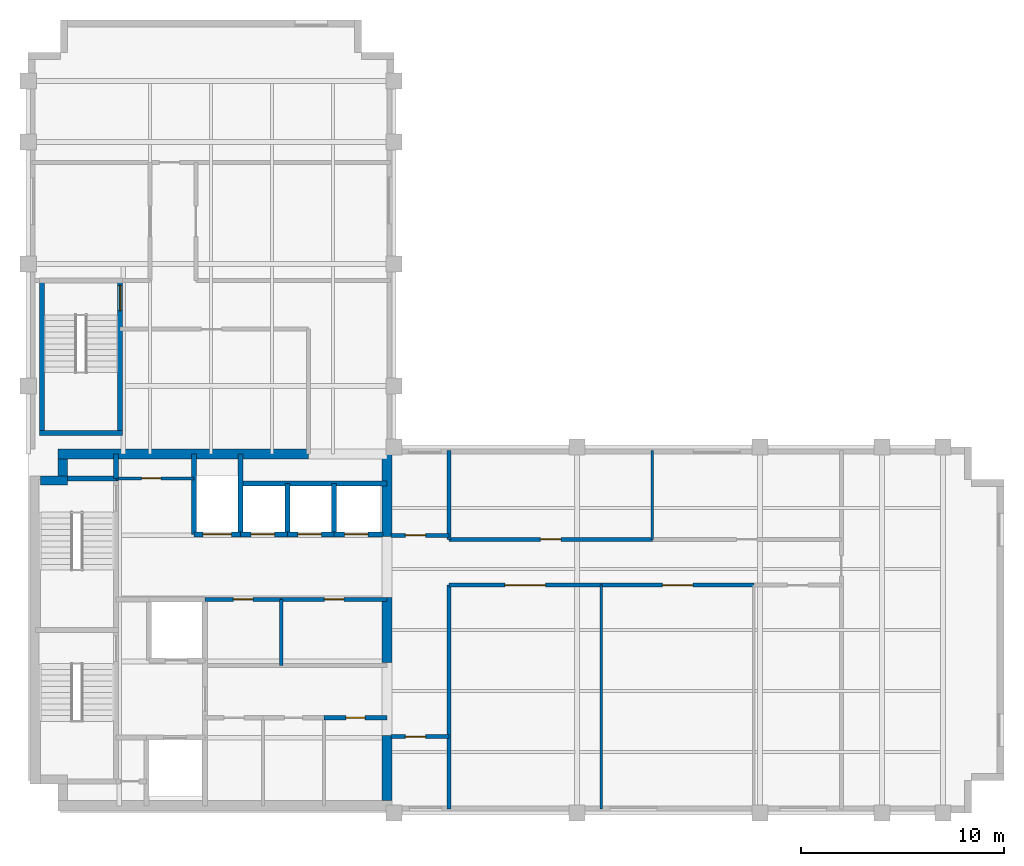
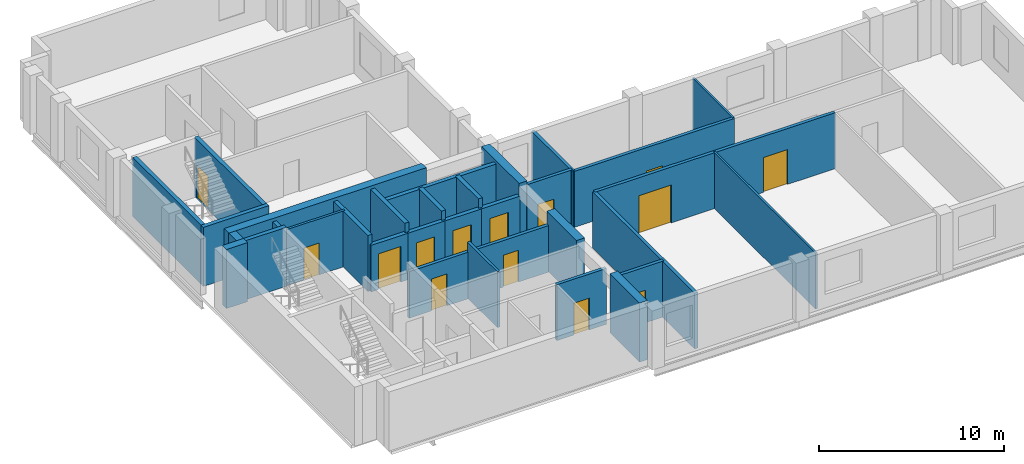
# One storey, part 3 of 6: 34 walls, 14 doors, 14 openings.
"""IFC4 building model written with IfcOpenShell, lengths in metres."""

from ifc_helpers import new_model, si_unit, direction, frame, frame_2d, origin, place, context, subcontext, project, spatial, rectangle, extrude, material, layer, layer_set, type_object, element, fill, save


model = new_model("IFC4")

# Units and contexts
model_context = context("Model", 3, precision=1e-05, world=origin(), true_north=direction((0.0, 1.0)))
body_context = subcontext(model_context, "Body", "Model", "MODEL_VIEW")
ifc_project = project(units=[si_unit("LENGTHUNIT", "METRE"), si_unit("AREAUNIT", "SQUARE_METRE"), si_unit("VOLUMEUNIT", "CUBIC_METRE"), si_unit("PLANEANGLEUNIT", "RADIAN"), si_unit("MASSUNIT", "GRAM", prefix="KILO")], contexts=[model_context])

# Site, building, storey
site_placement = place(None, origin())
site = spatial("IfcSite", under=ifc_project, at=site_placement, CompositionType="ELEMENT")
building_placement = place(site_placement, origin())
building = spatial("IfcBuilding", under=site, at=building_placement, Name="Mawjdan Bourse Tower", CompositionType="ELEMENT")
storey_placement = place(building_placement, frame((0.0, 0.0, 246.89990234375)))
storey = spatial("IfcBuildingStorey", under=building, at=storey_placement, Name="L60", CompositionType="ELEMENT", Elevation=246.89990234375)

# Wall, opening, door
ifc_material_1 = material(Name="Gypsum Fireboard Assembly")
ifc_layer_1 = layer(ifc_material_1, 0.199951171875)
ifc_layer_set_1 = layer_set([ifc_layer_1], Name="Gypsum Fireboard Assembly")
wall_type_1 = type_object("IfcWallType", Name="WL-CMP-200", PredefinedType="PARTITIONING", material=ifc_layer_set_1)
wall_1_placement = place(storey_placement, frame((20.550048828125, 7.679931640625, 0.0), z_axis=(0.0, 0.0, 1.0), x_axis=(1.0, 0.0, 0.0)))
wall_1 = element("IfcWall", 1, at=wall_1_placement, inside=storey, type_object=wall_type_1, Name="L60 Staff Tea Pantry North Wall", PredefinedType="PARTITIONING", context=body_context, shape_type="SweptSolid", body=[
    extrude(rectangle(XDim=3.099853515625, YDim=0.199951171875, at=frame_2d((1.5498046875, 0.0))), origin(), (0.0, 0.0, 1.0), 3.690185546875),
])
opening_1_placement = place(wall_1_placement, frame((1.074951171875, 0.0, 0.0)))
opening_1 = element("IfcOpeningElement", 2, at=opening_1_placement, cuts=wall_1, Name="Opening D-L60-15", PredefinedType="OPENING", context=body_context, shape_type="SweptSolid", body=[
    extrude(rectangle(XDim=0.949951171875, YDim=2.10009765625, at=frame_2d((0.47509765625, 1.050048828125))), frame((0.0, 0.10986328125, 0.0), z_axis=(0.0, -1.0, 0.0), x_axis=(1.0, 0.0, 0.0)), (0.0, 0.0, 1.0), 0.219970703125),
])
ifc_material_2 = material(Name="Moisture-Resistant Laminate Timber", Category="wood")
door_type_1 = type_object("IfcDoorType", Name="DR-WET-0950", OperationType="NOTDEFINED", PredefinedType="DOOR", material=ifc_material_2)
door_1_placement = place(opening_1_placement, origin())
door_1 = element("IfcDoor", 3, at=door_1_placement, inside=storey, type_object=door_type_1, Name="L60 Staff Tea Pantry Door D-L60-15", OperationType="SINGLE_SWING_LEFT", OverallHeight=2.10009765625, OverallWidth=0.949951171875, PredefinedType="DOOR", context=body_context, shape_type="SweptSolid", body=[
    extrude(rectangle(XDim=0.949951171875, YDim=2.10009765625, at=frame_2d((0.47509765625, 1.050048828125))), frame((0.0, 0.02490234375, 0.0), z_axis=(0.0, -1.0, 0.0), x_axis=(1.0, 0.0, 0.0)), (0.0, 0.0, 1.0), 0.050048828125),
])
fill(opening_1, door_1)

wall_2_placement = place(storey_placement, frame((14.699951171875, 13.5, 0.0), z_axis=(0.0, 0.0, 1.0), x_axis=(1.0, 0.0, 0.0)))
wall_2 = element("IfcWall", 4, at=wall_2_placement, inside=storey, type_object=wall_type_1, Name="L60 Accessible WC North Wall", PredefinedType="PARTITIONING", context=body_context, shape_type="SweptSolid", body=[
    extrude(rectangle(XDim=3.75, YDim=0.199951171875, at=frame_2d((1.875, 0.0))), origin(), (0.0, 0.0, 1.0), 3.072998046875),
])
opening_2_placement = place(wall_2_placement, frame((1.39990234375, 0.0, 0.0)))
opening_2 = element("IfcOpeningElement", 5, at=opening_2_placement, cuts=wall_2, Name="Opening D-L60-16", PredefinedType="OPENING", context=body_context, shape_type="SweptSolid", body=[
    extrude(rectangle(XDim=0.949951171875, YDim=2.10009765625, at=frame_2d((0.47509765625, 1.050048828125))), frame((0.0, 0.10986328125, 0.0), z_axis=(0.0, -1.0, 0.0), x_axis=(1.0, 0.0, 0.0)), (0.0, 0.0, 1.0), 0.219970703125),
])
door_2_placement = place(opening_2_placement, origin())
door_2 = element("IfcDoor", 6, at=door_2_placement, inside=storey, type_object=door_type_1, Name="L60 Accessible WC Door D-L60-16", OperationType="SINGLE_SWING_RIGHT", OverallHeight=2.10009765625, OverallWidth=0.949951171875, PredefinedType="DOOR", context=body_context, shape_type="SweptSolid", body=[
    extrude(rectangle(XDim=0.949951171875, YDim=2.10009765625, at=frame_2d((0.47509765625, 1.050048828125))), frame((0.0, 0.02490234375, 0.0), z_axis=(0.0, -1.0, 0.0), x_axis=(1.0, 0.0, 0.0)), (0.0, 0.0, 1.0), 0.050048828125),
])
fill(opening_2, door_2)

wall_3_placement = place(storey_placement, frame((18.449951171875, 13.5, 0.0), z_axis=(0.0, 0.0, 1.0), x_axis=(1.0, 0.0, 0.0)))
wall_3 = element("IfcWall", 7, at=wall_3_placement, inside=storey, type_object=wall_type_1, Name="L60 Unisex Restroom Suite North Wall", PredefinedType="PARTITIONING", context=body_context, shape_type="SweptSolid", body=[
    extrude(rectangle(XDim=5.199951171875, YDim=0.199951171875, at=frame_2d((2.60009765625, 0.0))), origin(), (0.0, 0.0, 1.0), 3.072998046875),
])
opening_3_placement = place(wall_3_placement, frame((2.125, 0.0, 0.0)))
opening_3 = element("IfcOpeningElement", 8, at=opening_3_placement, cuts=wall_3, Name="Opening D-L60-17", PredefinedType="OPENING", context=body_context, shape_type="SweptSolid", body=[
    extrude(rectangle(XDim=0.949951171875, YDim=2.10009765625, at=frame_2d((0.47509765625, 1.050048828125))), frame((0.0, 0.10986328125, 0.0), z_axis=(0.0, -1.0, 0.0), x_axis=(1.0, 0.0, 0.0)), (0.0, 0.0, 1.0), 0.219970703125),
])
door_3_placement = place(opening_3_placement, origin())
door_3 = element("IfcDoor", 9, at=door_3_placement, inside=storey, type_object=door_type_1, Name="L60 Unisex Restroom Suite Door D-L60-17", OperationType="SINGLE_SWING_LEFT", OverallHeight=2.10009765625, OverallWidth=0.949951171875, PredefinedType="DOOR", context=body_context, shape_type="SweptSolid", body=[
    extrude(rectangle(XDim=0.949951171875, YDim=2.10009765625, at=frame_2d((0.47509765625, 1.050048828125))), frame((0.0, 0.02490234375, 0.0), z_axis=(0.0, -1.0, 0.0), x_axis=(1.0, 0.0, 0.0)), (0.0, 0.0, 1.0), 0.050048828125),
])
fill(opening_3, door_3)

wall_4_placement = place(storey_placement, frame((23.85009765625, 6.75, 0.0), z_axis=(0.0, 0.0, 1.0), x_axis=(1.0, 0.0, 0.0)))
wall_4 = element("IfcWall", 10, at=wall_4_placement, inside=storey, type_object=wall_type_1, Name="L60 West Pocket North Wall", PredefinedType="PARTITIONING", context=body_context, shape_type="SweptSolid", body=[
    extrude(rectangle(XDim=2.849853515625, YDim=0.199951171875, at=frame_2d((1.4248046875, 0.0))), origin(), (0.0, 0.0, 1.0), 3.690185546875),
])
opening_4_placement = place(wall_4_placement, frame((0.699951171875, 0.0, 0.0)))
opening_4 = element("IfcOpeningElement", 11, at=opening_4_placement, cuts=wall_4, Name="Opening D-L60-20", PredefinedType="OPENING", context=body_context, shape_type="SweptSolid", body=[
    extrude(rectangle(XDim=1.0, YDim=2.14990234375, at=frame_2d((0.5, 1.074951171875))), frame((0.0, 0.10986328125, 0.0), z_axis=(0.0, -1.0, 0.0), x_axis=(1.0, 0.0, 0.0)), (0.0, 0.0, 1.0), 0.219970703125),
])
ifc_material_3 = material(Name="Hardwood Acoustic Leaf", Category="wood")
door_type_2 = type_object("IfcDoorType", Name="DR-OFC-1000", OperationType="NOTDEFINED", PredefinedType="DOOR", material=ifc_material_3)
door_4_placement = place(opening_4_placement, origin())
door_4 = element("IfcDoor", 12, at=door_4_placement, inside=storey, type_object=door_type_2, Name="L60 West Pocket Office Door D-L60-20", OperationType="SINGLE_SWING_RIGHT", OverallHeight=2.14990234375, OverallWidth=1.0, PredefinedType="DOOR", context=body_context, shape_type="SweptSolid", body=[
    extrude(rectangle(XDim=1.0, YDim=2.14990234375, at=frame_2d((0.5, 1.074951171875))), frame((0.0, 0.02490234375, 0.0), z_axis=(0.0, -1.0, 0.0), x_axis=(1.0, 0.0, 0.0)), (0.0, 0.0, 1.0), 0.050048828125),
])
fill(opening_4, door_4)

wall_5_placement = place(storey_placement, frame((23.85009765625, 16.64990234375, 0.0), z_axis=(0.0, 0.0, 1.0), x_axis=(1.0, 0.0, 0.0)))
wall_5 = element("IfcWall", 13, at=wall_5_placement, inside=storey, type_object=wall_type_1, Name="L60 West North Pocket Wall", PredefinedType="PARTITIONING", context=body_context, shape_type="SweptSolid", body=[
    extrude(rectangle(XDim=2.849853515625, YDim=0.199951171875, at=frame_2d((1.4248046875, 0.0))), origin(), (0.0, 0.0, 1.0), 3.690185546875),
])
opening_5_placement = place(wall_5_placement, frame((0.699951171875, 0.0, 0.0)))
opening_5 = element("IfcOpeningElement", 14, at=opening_5_placement, cuts=wall_5, Name="Opening D-L60-21", PredefinedType="OPENING", context=body_context, shape_type="SweptSolid", body=[
    extrude(rectangle(XDim=1.0, YDim=2.14990234375, at=frame_2d((0.5, 1.074951171875))), frame((0.0, 0.10986328125, 0.0), z_axis=(0.0, -1.0, 0.0), x_axis=(1.0, 0.0, 0.0)), (0.0, 0.0, 1.0), 0.219970703125),
])
door_5_placement = place(opening_5_placement, origin())
door_5 = element("IfcDoor", 15, at=door_5_placement, inside=storey, type_object=door_type_2, Name="L60 West North Pocket Door D-L60-21", OperationType="SINGLE_SWING_LEFT", OverallHeight=2.14990234375, OverallWidth=1.0, PredefinedType="DOOR", context=body_context, shape_type="SweptSolid", body=[
    extrude(rectangle(XDim=1.0, YDim=2.14990234375, at=frame_2d((0.5, 1.074951171875))), frame((0.0, 0.02490234375, 0.0), z_axis=(0.0, -1.0, 0.0), x_axis=(1.0, 0.0, 0.0)), (0.0, 0.0, 1.0), 0.050048828125),
])
fill(opening_5, door_5)

# Walls
wall_6_placement = place(storey_placement, frame((26.699951171875, 3.179931640625, 0.0), z_axis=(0.0, 0.0, 1.0), x_axis=(0.0, 1.0, 0.0)))
element("IfcWall", 16, at=wall_6_placement, inside=storey, type_object=wall_type_1, Name="L60 Vestibule South East Wall", PredefinedType="PARTITIONING", context=body_context, shape_type="SweptSolid", body=[
    extrude(rectangle(XDim=11.02001953125, YDim=0.199951171875, at=frame_2d((5.510009765625, 0.0))), origin(), (0.0, 0.0, 1.0), 3.690185546875),
])
wall_7_placement = place(storey_placement, frame((26.699951171875, 16.449951171875, 0.0), z_axis=(0.0, 0.0, 1.0), x_axis=(0.0, 1.0, 0.0)))
element("IfcWall", 17, at=wall_7_placement, inside=storey, type_object=wall_type_1, Name="L60 Vestibule North East Wall", PredefinedType="PARTITIONING", context=body_context, shape_type="SweptSolid", body=[
    extrude(rectangle(XDim=4.3701171875, YDim=0.199951171875, at=frame_2d((2.18505859375, 0.0))), origin(), (0.0, 0.0, 1.0), 3.690185546875),
])

# Wall, opening, door
wall_8_placement = place(storey_placement, frame((26.699951171875, 14.199951171875, 0.0), z_axis=(0.0, 0.0, 1.0), x_axis=(1.0, 0.0, 0.0)))
wall_8 = element("IfcWall", 18, at=wall_8_placement, inside=storey, type_object=wall_type_1, Name="L60 International Listings Hall Corridor Wall", PredefinedType="PARTITIONING", context=body_context, shape_type="SweptSolid", body=[
    extrude(rectangle(XDim=7.5, YDim=0.199951171875, at=frame_2d((3.75, 0.0))), origin(), (0.0, 0.0, 1.0), 3.690185546875),
])
opening_6_placement = place(wall_8_placement, frame((2.75, 0.0, 0.0)))
opening_6 = element("IfcOpeningElement", 19, at=opening_6_placement, cuts=wall_8, Name="Opening D-L60-22", PredefinedType="OPENING", context=body_context, shape_type="SweptSolid", body=[
    extrude(rectangle(XDim=2.0, YDim=2.5, at=frame_2d((1.0, 1.25))), frame((0.0, 0.10986328125, 0.0), z_axis=(0.0, -1.0, 0.0), x_axis=(1.0, 0.0, 0.0)), (0.0, 0.0, 1.0), 0.219970703125),
])
ifc_material_4 = material(Name="Acoustic Veneered Timber", Category="wood")
door_type_3 = type_object("IfcDoorType", Name="DR-ASM-2000", OperationType="DOUBLE_DOOR_SINGLE_SWING", PredefinedType="DOOR", material=ifc_material_4)
door_6_placement = place(opening_6_placement, origin())
door_6 = element("IfcDoor", 20, at=door_6_placement, inside=storey, type_object=door_type_3, Name="L60 International Listings Hall Door D-L60-22", OperationType="DOUBLE_DOOR_SINGLE_SWING", OverallHeight=2.5, OverallWidth=2.0, PredefinedType="DOOR", context=body_context, shape_type="SweptSolid", body=[
    extrude(rectangle(XDim=2.0, YDim=2.5, at=frame_2d((1.0, 1.25))), frame((0.0, 0.02490234375, 0.0), z_axis=(0.0, -1.0, 0.0), x_axis=(1.0, 0.0, 0.0)), (0.0, 0.0, 1.0), 0.050048828125),
])
fill(opening_6, door_6)

wall_9_placement = place(storey_placement, frame((34.199951171875, 14.199951171875, 0.0), z_axis=(0.0, 0.0, 1.0), x_axis=(1.0, 0.0, 0.0)))
wall_9 = element("IfcWall", 21, at=wall_9_placement, inside=storey, type_object=wall_type_1, Name="L60 Conference Room Corridor Wall", PredefinedType="PARTITIONING", context=body_context, shape_type="SweptSolid", body=[
    extrude(rectangle(XDim=7.5, YDim=0.199951171875, at=frame_2d((3.75, 0.0))), origin(), (0.0, 0.0, 1.0), 3.690185546875),
])
opening_7_placement = place(wall_9_placement, frame((3.0, 0.0, 0.0)))
opening_7 = element("IfcOpeningElement", 22, at=opening_7_placement, cuts=wall_9, Name="Opening D-L60-23", PredefinedType="OPENING", context=body_context, shape_type="SweptSolid", body=[
    extrude(rectangle(XDim=1.5, YDim=2.300048828125, at=frame_2d((0.75, 1.14990234375))), frame((0.0, 0.10986328125, 0.0), z_axis=(0.0, -1.0, 0.0), x_axis=(1.0, 0.0, 0.0)), (0.0, 0.0, 1.0), 0.219970703125),
])
ifc_material_5 = material(Name="Acoustic Glazed Timber", Category="wood")
door_type_4 = type_object("IfcDoorType", Name="DR-CNF-1500", OperationType="DOUBLE_DOOR_SINGLE_SWING", PredefinedType="DOOR", material=ifc_material_5)
door_7_placement = place(opening_7_placement, origin())
door_7 = element("IfcDoor", 23, at=door_7_placement, inside=storey, type_object=door_type_4, Name="L60 Conference Room Door D-L60-23", OperationType="DOUBLE_DOOR_SINGLE_SWING", OverallHeight=2.300048828125, OverallWidth=1.5, PredefinedType="DOOR", context=body_context, shape_type="SweptSolid", body=[
    extrude(rectangle(XDim=1.5, YDim=2.300048828125, at=frame_2d((0.75, 1.14990234375))), frame((0.0, 0.02490234375, 0.0), z_axis=(0.0, -1.0, 0.0), x_axis=(1.0, 0.0, 0.0)), (0.0, 0.0, 1.0), 0.050048828125),
])
fill(opening_7, door_7)

wall_10_placement = place(storey_placement, frame((26.699951171875, 16.449951171875, 0.0), z_axis=(0.0, 0.0, 1.0), x_axis=(1.0, 0.0, 0.0)))
wall_10 = element("IfcWall", 24, at=wall_10_placement, inside=storey, type_object=wall_type_1, Name="L60 Executive Office Corridor Wall", PredefinedType="PARTITIONING", context=body_context, shape_type="SweptSolid", body=[
    extrude(rectangle(XDim=10.0, YDim=0.199951171875, at=frame_2d((5.0, 0.0))), origin(), (0.0, 0.0, 1.0), 3.690185546875),
])
opening_8_placement = place(wall_10_placement, frame((4.5, 0.0, 0.0)))
opening_8 = element("IfcOpeningElement", 25, at=opening_8_placement, cuts=wall_10, Name="Opening D-L60-25", PredefinedType="OPENING", context=body_context, shape_type="SweptSolid", body=[
    extrude(rectangle(XDim=1.0, YDim=2.14990234375, at=frame_2d((0.5, 1.074951171875))), frame((0.0, 0.10986328125, 0.0), z_axis=(0.0, -1.0, 0.0), x_axis=(1.0, 0.0, 0.0)), (0.0, 0.0, 1.0), 0.219970703125),
])
door_8_placement = place(opening_8_placement, origin())
door_8 = element("IfcDoor", 26, at=door_8_placement, inside=storey, type_object=door_type_2, Name="L60 Executive Office Door D-L60-25", OperationType="SINGLE_SWING_LEFT", OverallHeight=2.14990234375, OverallWidth=1.0, PredefinedType="DOOR", context=body_context, shape_type="SweptSolid", body=[
    extrude(rectangle(XDim=1.0, YDim=2.14990234375, at=frame_2d((0.5, 1.074951171875))), frame((0.0, 0.02490234375, 0.0), z_axis=(0.0, -1.0, 0.0), x_axis=(1.0, 0.0, 0.0)), (0.0, 0.0, 1.0), 0.050048828125),
])
fill(opening_8, door_8)

# Walls
ifc_material_6 = material(Name="Concrete C60/75", Category="concrete")
ifc_layer_2 = layer(ifc_material_6, 0.449951171875)
ifc_layer_set_2 = layer_set([ifc_layer_2], Name="Concrete C60/75")
wall_type_2 = type_object("IfcWallType", Name="WL-CORE-450", PredefinedType="SHEAR", material=ifc_layer_set_2)
wall_11_placement = place(storey_placement, frame((6.60009765625, 19.35009765625, 0.0), z_axis=(0.0, 0.0, 1.0), x_axis=(1.0, 0.0, 0.0)))
element("IfcWall", 27, at=wall_11_placement, inside=storey, type_object=wall_type_2, Name="L60 Rear Core Shear Wall NW-X", PredefinedType="SHEAR", context=body_context, shape_type="SweptSolid", body=[
    extrude(rectangle(XDim=1.324951171875, YDim=0.449951171875, at=frame_2d((0.66259765625, 0.0))), origin(), (0.0, 0.0, 1.0), 3.900146484375),
])
wall_12_placement = place(storey_placement, frame((7.699951171875, 19.574951171875, 0.0), z_axis=(0.0, 0.0, 1.0), x_axis=(0.0, 1.0, 0.0)))
element("IfcWall", 28, at=wall_12_placement, inside=storey, type_object=wall_type_2, Name="L60 Rear Core Shear Wall NW-Y", PredefinedType="SHEAR", context=body_context, shape_type="SweptSolid", body=[
    extrude(rectangle(XDim=0.824951171875, YDim=0.449951171875, at=frame_2d((0.41259765625, 0.0))), origin(), (0.0, 0.0, 1.0), 3.900146484375),
])
ifc_layer_3 = layer(ifc_material_6, 0.5)
ifc_layer_set_3 = layer_set([ifc_layer_3], Name="Concrete C60/75")
wall_type_3 = type_object("IfcWallType", Name="WL-CORE-500", PredefinedType="SHEAR", material=ifc_layer_set_3)
wall_13_placement = place(storey_placement, frame((7.47509765625, 20.64990234375, 0.0), z_axis=(0.0, 0.0, 1.0), x_axis=(1.0, 0.0, 0.0)))
element("IfcWall", 29, at=wall_13_placement, inside=storey, type_object=wall_type_3, Name="L60 Rear Core Shear Wall N", PredefinedType="SHEAR", context=body_context, shape_type="SweptSolid", body=[
    extrude(rectangle(XDim=12.324951171875, YDim=0.5, at=frame_2d((6.16259765625, 0.0))), origin(), (0.0, 0.0, 1.0), 3.900146484375),
])
wall_14_placement = place(storey_placement, frame((23.64990234375, 3.60009765625, 0.0), z_axis=(0.0, 0.0, 1.0), x_axis=(0.0, 1.0, 0.0)))
element("IfcWall", 30, at=wall_14_placement, inside=storey, type_object=wall_type_3, Name="L60 Rear Core Shear Wall E1", PredefinedType="SHEAR", context=body_context, shape_type="SweptSolid", body=[
    extrude(rectangle(XDim=3.199951171875, YDim=0.5, at=frame_2d((1.60009765625, 0.0))), origin(), (0.0, 0.0, 1.0), 3.900146484375),
])
wall_15_placement = place(storey_placement, frame((23.64990234375, 10.39990234375, 0.0), z_axis=(0.0, 0.0, 1.0), x_axis=(0.0, 1.0, 0.0)))
element("IfcWall", 31, at=wall_15_placement, inside=storey, type_object=wall_type_3, Name="L60 Rear Core Shear Wall E2", PredefinedType="SHEAR", context=body_context, shape_type="SweptSolid", body=[
    extrude(rectangle(XDim=3.2001953125, YDim=0.5, at=frame_2d((1.60009765625, 0.0))), origin(), (0.0, 0.0, 1.0), 3.900146484375),
])
wall_16_placement = place(storey_placement, frame((23.64990234375, 16.60009765625, 0.0), z_axis=(0.0, 0.0, 1.0), x_axis=(0.0, 1.0, 0.0)))
element("IfcWall", 32, at=wall_16_placement, inside=storey, type_object=wall_type_3, Name="L60 Rear Core Shear Wall E3", PredefinedType="SHEAR", context=body_context, shape_type="SweptSolid", body=[
    extrude(rectangle(XDim=4.0498046875, YDim=0.5, at=frame_2d((2.02490234375, 0.0))), origin(), (0.0, 0.0, 1.0), 3.900146484375),
])
ifc_material_7 = material(Name="Gypsum Partition")
ifc_layer_4 = layer(ifc_material_7, 0.125)
ifc_layer_set_4 = layer_set([ifc_layer_4], Name="Gypsum Partition")
wall_type_4 = type_object("IfcWallType", Name="WL-PRT-125", PredefinedType="PARTITIONING", material=ifc_layer_set_4)
wall_17_placement = place(storey_placement, frame((34.199951171875, 3.179931640625, 0.0), z_axis=(0.0, 0.0, 1.0), x_axis=(0.0, 1.0, 0.0)))
element("IfcWall", 33, at=wall_17_placement, inside=storey, type_object=wall_type_4, Name="L60 Conference Room Partition", PredefinedType="PARTITIONING", context=body_context, shape_type="SweptSolid", body=[
    extrude(rectangle(XDim=11.02001953125, YDim=0.125, at=frame_2d((5.510009765625, 0.0))), origin(), (0.0, 0.0, 1.0), 3.690185546875),
])
wall_18_placement = place(storey_placement, frame((36.699951171875, 16.449951171875, 0.0), z_axis=(0.0, 0.0, 1.0), x_axis=(0.0, 1.0, 0.0)))
element("IfcWall", 34, at=wall_18_placement, inside=storey, type_object=wall_type_4, Name="L60 Cross-Border Clearing Suite Partition", PredefinedType="PARTITIONING", context=body_context, shape_type="SweptSolid", body=[
    extrude(rectangle(XDim=4.3701171875, YDim=0.125, at=frame_2d((2.18505859375, 0.0))), origin(), (0.0, 0.0, 1.0), 3.690185546875),
])
ifc_material_8 = material(Name="Gypsum Acoustic Partition")
ifc_layer_5 = layer(ifc_material_8, 0.14990234375)
ifc_layer_set_5 = layer_set([ifc_layer_5], Name="Gypsum Acoustic Partition")
wall_type_5 = type_object("IfcWallType", Name="WL-PRT-150", PredefinedType="PARTITIONING", material=ifc_layer_set_5)
wall_19_placement = place(storey_placement, frame((18.449951171875, 10.25, 0.0), z_axis=(0.0, 0.0, 1.0), x_axis=(0.0, 1.0, 0.0)))
element("IfcWall", 35, at=wall_19_placement, inside=storey, type_object=wall_type_5, Name="L60 Unisex Restroom Suite Split Wall", PredefinedType="PARTITIONING", context=body_context, shape_type="SweptSolid", body=[
    extrude(rectangle(XDim=3.25, YDim=0.14990234375, at=frame_2d((1.625, 0.0))), origin(), (0.0, 0.0, 1.0), 3.690185546875),
])

# Wall, opening, door
wall_20_placement = place(storey_placement, frame((10.330078125, 19.449951171875, 0.0), z_axis=(0.0, 0.0, 1.0), x_axis=(1.0, 0.0, 0.0)))
wall_20 = element("IfcWall", 36, at=wall_20_placement, inside=storey, type_object=wall_type_5, Name="L60 Housekeeping South Wall", PredefinedType="PARTITIONING", context=body_context, shape_type="SweptSolid", body=[
    extrude(rectangle(XDim=3.81982421875, YDim=0.14990234375, at=frame_2d((1.909912109375, 0.0))), origin(), (0.0, 0.0, 1.0), 3.690185546875),
])
opening_9_placement = place(wall_20_placement, frame((1.25, 0.0, 0.0)))
opening_9 = element("IfcOpeningElement", 37, at=opening_9_placement, cuts=wall_20, Name="Opening D-L60-18", PredefinedType="OPENING", context=body_context, shape_type="SweptSolid", body=[
    extrude(rectangle(XDim=0.949951171875, YDim=2.10009765625, at=frame_2d((0.47509765625, 1.050048828125))), frame((0.0, 0.0849609375, 0.0), z_axis=(0.0, -1.0, 0.0), x_axis=(1.0, 0.0, 0.0)), (0.0, 0.0, 1.0), 0.169921875),
])
door_9_placement = place(opening_9_placement, origin())
door_9 = element("IfcDoor", 38, at=door_9_placement, inside=storey, type_object=door_type_1, Name="L60 Housekeeping Closet Door D-L60-18", OperationType="SINGLE_SWING_RIGHT", OverallHeight=2.10009765625, OverallWidth=0.949951171875, PredefinedType="DOOR", context=body_context, shape_type="SweptSolid", body=[
    extrude(rectangle(XDim=0.949951171875, YDim=2.10009765625, at=frame_2d((0.47509765625, 1.050048828125))), frame((0.0, 0.02490234375, 0.0), z_axis=(0.0, -1.0, 0.0), x_axis=(1.0, 0.0, 0.0)), (0.0, 0.0, 1.0), 0.050048828125),
])
fill(opening_9, door_9)

# Wall
ifc_material_9 = material(Name="Concrete C50/60", Category="concrete")
ifc_layer_6 = layer(ifc_material_9, 0.25)
ifc_layer_set_6 = layer_set([ifc_layer_6], Name="Concrete C50/60")
wall_type_6 = type_object("IfcWallType", Name="WL-SHFT-250", PredefinedType="PARTITIONING", material=ifc_layer_set_6)
wall_21_placement = place(storey_placement, frame((10.330078125, 19.449951171875, 0.0), z_axis=(0.0, 0.0, 1.0), x_axis=(0.0, 1.0, 0.0)))
element("IfcWall", 39, at=wall_21_placement, inside=storey, type_object=wall_type_6, Name="L60 NW Riser East Wall", PredefinedType="PARTITIONING", context=body_context, shape_type="SweptSolid", body=[
    extrude(rectangle(XDim=1.199951171875, YDim=0.25, at=frame_2d((0.60009765625, 0.0))), origin(), (0.0, 0.0, 1.0), 3.690185546875),
])

# Wall, opening, door
wall_22_placement = place(storey_placement, frame((14.14990234375, 16.699951171875, 0.0), z_axis=(0.0, 0.0, 1.0), x_axis=(1.0, 0.0, 0.0)))
wall_22 = element("IfcWall", 40, at=wall_22_placement, inside=storey, type_object=wall_type_6, Name="L60 SVL-01 Front Shaft Wall", PredefinedType="PARTITIONING", context=body_context, shape_type="SweptSolid", body=[
    extrude(rectangle(XDim=2.300048828125, YDim=0.25, at=frame_2d((1.14990234375, 0.0))), origin(), (0.0, 0.0, 1.0), 3.072998046875),
])
opening_10_placement = place(wall_22_placement, frame((0.449951171875, 0.0, 0.0)))
opening_10 = element("IfcOpeningElement", 41, at=opening_10_placement, cuts=wall_22, Name="Opening LD-L60-09", PredefinedType="OPENING", context=body_context, shape_type="SweptSolid", body=[
    extrude(rectangle(XDim=1.39990234375, YDim=2.35009765625, at=frame_2d((0.699951171875, 1.175048828125))), frame((0.0, 0.135009765625, 0.0), z_axis=(0.0, -1.0, 0.0), x_axis=(1.0, 0.0, 0.0)), (0.0, 0.0, 1.0), 0.27001953125),
])
ifc_material_10 = material(Name="Heavy-Duty Stainless Steel", Category="steel")
door_type_5 = type_object("IfcDoorType", Name="LD-SRV-1400", OperationType="DOUBLE_DOOR_SLIDING", PredefinedType="DOOR", material=ifc_material_10)
door_10_placement = place(opening_10_placement, origin())
door_10 = element("IfcDoor", 42, at=door_10_placement, inside=storey, type_object=door_type_5, Name="L60 Service Lift SVL-01 Landing Door LD-L60-09", OperationType="DOUBLE_DOOR_SLIDING", OverallHeight=2.35009765625, OverallWidth=1.39990234375, PredefinedType="DOOR", context=body_context, shape_type="SweptSolid", body=[
    extrude(rectangle(XDim=1.39990234375, YDim=2.35009765625, at=frame_2d((0.699951171875, 1.175048828125))), frame((0.0, 0.02490234375, 0.0), z_axis=(0.0, -1.0, 0.0), x_axis=(1.0, 0.0, 0.0)), (0.0, 0.0, 1.0), 0.050048828125),
])
fill(opening_10, door_10)

# Walls
for number, where, z_axis, x_axis, name in (
    (43, (14.14990234375, 16.699951171875, 0.0), (0.0, 0.0, 1.0), (0.0, 1.0, 0.0), "L60 SVL-01 West Shaft Wall"),
    (44, (16.449951171875, 16.699951171875, 0.0), (0.0, 0.0, 1.0), (0.0, 1.0, 0.0), "L60 SVL-01 East Shaft Wall"),
):
    element("IfcWall", number, at=place(storey_placement, frame(where, z_axis=z_axis, x_axis=x_axis)), inside=storey, type_object=wall_type_6, Name=name, PredefinedType="PARTITIONING", context=body_context, shape_type="SweptSolid", body=[
        extrude(rectangle(XDim=3.949951171875, YDim=0.25, at=frame_2d((1.97509765625, 0.0))), origin(), (0.0, 0.0, 1.0), 3.690185546875),
    ])

# Wall, opening, door
wall_23_placement = place(storey_placement, frame((16.449951171875, 16.699951171875, 0.0), z_axis=(0.0, 0.0, 1.0), x_axis=(1.0, 0.0, 0.0)))
wall_23 = element("IfcWall", 45, at=wall_23_placement, inside=storey, type_object=wall_type_6, Name="L60 PH-01 Front Wall", PredefinedType="PARTITIONING", context=body_context, shape_type="SweptSolid", body=[
    extrude(rectangle(XDim=2.300048828125, YDim=0.25, at=frame_2d((1.14990234375, 0.0))), origin(), (0.0, 0.0, 1.0), 3.072998046875),
])
opening_11_placement = place(wall_23_placement, frame((0.52001953125, 0.0, 0.0)))
opening_11 = element("IfcOpeningElement", 46, at=opening_11_placement, cuts=wall_23, Name="Opening LD-L60-10", PredefinedType="OPENING", context=body_context, shape_type="SweptSolid", body=[
    extrude(rectangle(XDim=1.14990234375, YDim=2.25, at=frame_2d((0.574951171875, 1.125))), frame((0.0, 0.135009765625, 0.0), z_axis=(0.0, -1.0, 0.0), x_axis=(1.0, 0.0, 0.0)), (0.0, 0.0, 1.0), 0.27001953125),
])
ifc_material_11 = material(Name="Brushed Stainless Steel", Category="steel")
door_type_6 = type_object("IfcDoorType", Name="LD-PAS-1150", OperationType="DOUBLE_DOOR_SLIDING", PredefinedType="DOOR", material=ifc_material_11)
door_11_placement = place(opening_11_placement, origin())
door_11 = element("IfcDoor", 47, at=door_11_placement, inside=storey, type_object=door_type_6, Name="L60 Lift PH-01 Landing Door LD-L60-10", OperationType="DOUBLE_DOOR_SLIDING", OverallHeight=2.25, OverallWidth=1.14990234375, PredefinedType="DOOR", context=body_context, shape_type="SweptSolid", body=[
    extrude(rectangle(XDim=1.14990234375, YDim=2.25, at=frame_2d((0.574951171875, 1.125))), frame((0.0, 0.02490234375, 0.0), z_axis=(0.0, -1.0, 0.0), x_axis=(1.0, 0.0, 0.0)), (0.0, 0.0, 1.0), 0.050048828125),
])
fill(opening_11, door_11)

# Wall
wall_24_placement = place(storey_placement, frame((18.75, 16.699951171875, 0.0), z_axis=(0.0, 0.0, 1.0), x_axis=(0.0, 1.0, 0.0)))
element("IfcWall", 48, at=wall_24_placement, inside=storey, type_object=wall_type_6, Name="L60 PH-01 Divider Wall", PredefinedType="PARTITIONING", context=body_context, shape_type="SweptSolid", body=[
    extrude(rectangle(XDim=2.5, YDim=0.25, at=frame_2d((1.25, 0.0))), origin(), (0.0, 0.0, 1.0), 3.690185546875),
])

# Wall, opening, door
wall_25_placement = place(storey_placement, frame((18.75, 16.699951171875, 0.0), z_axis=(0.0, 0.0, 1.0), x_axis=(1.0, 0.0, 0.0)))
wall_25 = element("IfcWall", 49, at=wall_25_placement, inside=storey, type_object=wall_type_6, Name="L60 PH-02 Front Wall", PredefinedType="PARTITIONING", context=body_context, shape_type="SweptSolid", body=[
    extrude(rectangle(XDim=2.300048828125, YDim=0.25, at=frame_2d((1.14990234375, 0.0))), origin(), (0.0, 0.0, 1.0), 3.072998046875),
])
opening_12_placement = place(wall_25_placement, frame((0.52001953125, 0.0, 0.0)))
opening_12 = element("IfcOpeningElement", 50, at=opening_12_placement, cuts=wall_25, Name="Opening LD-L60-11", PredefinedType="OPENING", context=body_context, shape_type="SweptSolid", body=[
    extrude(rectangle(XDim=1.14990234375, YDim=2.25, at=frame_2d((0.574951171875, 1.125))), frame((0.0, 0.135009765625, 0.0), z_axis=(0.0, -1.0, 0.0), x_axis=(1.0, 0.0, 0.0)), (0.0, 0.0, 1.0), 0.27001953125),
])
door_12_placement = place(opening_12_placement, origin())
door_12 = element("IfcDoor", 51, at=door_12_placement, inside=storey, type_object=door_type_6, Name="L60 Lift PH-02 Landing Door LD-L60-11", OperationType="DOUBLE_DOOR_SLIDING", OverallHeight=2.25, OverallWidth=1.14990234375, PredefinedType="DOOR", context=body_context, shape_type="SweptSolid", body=[
    extrude(rectangle(XDim=1.14990234375, YDim=2.25, at=frame_2d((0.574951171875, 1.125))), frame((0.0, 0.02490234375, 0.0), z_axis=(0.0, -1.0, 0.0), x_axis=(1.0, 0.0, 0.0)), (0.0, 0.0, 1.0), 0.050048828125),
])
fill(opening_12, door_12)

# Wall
wall_26_placement = place(storey_placement, frame((21.050048828125, 16.699951171875, 0.0), z_axis=(0.0, 0.0, 1.0), x_axis=(0.0, 1.0, 0.0)))
element("IfcWall", 52, at=wall_26_placement, inside=storey, type_object=wall_type_6, Name="L60 PH-02 Divider Wall", PredefinedType="PARTITIONING", context=body_context, shape_type="SweptSolid", body=[
    extrude(rectangle(XDim=2.5, YDim=0.25, at=frame_2d((1.25, 0.0))), origin(), (0.0, 0.0, 1.0), 3.690185546875),
])

# Wall, opening, door
wall_27_placement = place(storey_placement, frame((21.050048828125, 16.699951171875, 0.0), z_axis=(0.0, 0.0, 1.0), x_axis=(1.0, 0.0, 0.0)))
wall_27 = element("IfcWall", 53, at=wall_27_placement, inside=storey, type_object=wall_type_6, Name="L60 PH-03 Front Wall", PredefinedType="PARTITIONING", context=body_context, shape_type="SweptSolid", body=[
    extrude(rectangle(XDim=2.39990234375, YDim=0.25, at=frame_2d((1.199951171875, 0.0))), origin(), (0.0, 0.0, 1.0), 3.072998046875),
])
opening_13_placement = place(wall_27_placement, frame((0.52001953125, 0.0, 0.0)))
opening_13 = element("IfcOpeningElement", 54, at=opening_13_placement, cuts=wall_27, Name="Opening LD-L60-12", PredefinedType="OPENING", context=body_context, shape_type="SweptSolid", body=[
    extrude(rectangle(XDim=1.14990234375, YDim=2.25, at=frame_2d((0.574951171875, 1.125))), frame((0.0, 0.135009765625, 0.0), z_axis=(0.0, -1.0, 0.0), x_axis=(1.0, 0.0, 0.0)), (0.0, 0.0, 1.0), 0.27001953125),
])
door_13_placement = place(opening_13_placement, origin())
door_13 = element("IfcDoor", 55, at=door_13_placement, inside=storey, type_object=door_type_6, Name="L60 Lift PH-03 Landing Door LD-L60-12", OperationType="DOUBLE_DOOR_SLIDING", OverallHeight=2.25, OverallWidth=1.14990234375, PredefinedType="DOOR", context=body_context, shape_type="SweptSolid", body=[
    extrude(rectangle(XDim=1.14990234375, YDim=2.25, at=frame_2d((0.574951171875, 1.125))), frame((0.0, 0.02490234375, 0.0), z_axis=(0.0, -1.0, 0.0), x_axis=(1.0, 0.0, 0.0)), (0.0, 0.0, 1.0), 0.050048828125),
])
fill(opening_13, door_13)

# Walls
wall_28_placement = place(storey_placement, frame((16.449951171875, 19.199951171875, 0.0), z_axis=(0.0, 0.0, 1.0), x_axis=(1.0, 0.0, 0.0)))
element("IfcWall", 56, at=wall_28_placement, inside=storey, type_object=wall_type_6, Name="L60 PH Bank North Shaft Back Wall", PredefinedType="PARTITIONING", context=body_context, shape_type="SweptSolid", body=[
    extrude(rectangle(XDim=7.199951171875, YDim=0.25, at=frame_2d((3.60009765625, 0.0))), origin(), (0.0, 0.0, 1.0), 3.690185546875),
])
ifc_layer_7 = layer(ifc_material_9, 0.25)
ifc_layer_set_7 = layer_set([ifc_layer_7], Name="Concrete C50/60")
wall_type_7 = type_object("IfcWallType", Name="WL-STRW-250", PredefinedType="SHEAR", material=ifc_layer_set_7)
wall_29_placement = place(storey_placement, frame((7.699951171875, 19.449951171875, 0.0), z_axis=(0.0, 0.0, 1.0), x_axis=(1.0, 0.0, 0.0)))
element("IfcWall", 57, at=wall_29_placement, inside=storey, type_object=wall_type_7, Name="L60 Stairwell ST2 North Shaft Wall", PredefinedType="SHEAR", context=body_context, shape_type="SweptSolid", body=[
    extrude(rectangle(XDim=2.755126953125, YDim=0.25, at=frame_2d((1.37744140625, 0.0))), origin(), (0.0, 0.0, 1.0), 3.900146484375),
])
wall_30_placement = place(storey_placement, frame((6.554931640625, 21.679931640625, 0.0), z_axis=(0.0, 0.0, 1.0), x_axis=(1.0, 0.0, 0.0)))
element("IfcWall", 58, at=wall_30_placement, inside=storey, type_object=wall_type_7, Name="L60 ST3 South Shaft Wall", PredefinedType="SHEAR", context=body_context, shape_type="SweptSolid", body=[
    extrude(rectangle(XDim=4.090087890625, YDim=0.25, at=frame_2d((2.044921875, 0.0))), origin(), (0.0, 0.0, 1.0), 3.900146484375),
])
wall_31_placement = place(storey_placement, frame((6.679931640625, 21.679931640625, 0.0), z_axis=(0.0, 0.0, 1.0), x_axis=(0.0, 1.0, 0.0)))
element("IfcWall", 59, at=wall_31_placement, inside=storey, type_object=wall_type_7, Name="L60 ST3 West Shaft Wall", PredefinedType="SHEAR", context=body_context, shape_type="SweptSolid", body=[
    extrude(rectangle(XDim=7.5, YDim=0.25, at=frame_2d((3.75, 0.0))), origin(), (0.0, 0.0, 1.0), 3.900146484375),
])

# Wall, opening, door
wall_32_placement = place(storey_placement, frame((10.52001953125, 21.679931640625, 0.0), z_axis=(0.0, 0.0, 1.0), x_axis=(0.0, 1.0, 0.0)))
wall_32 = element("IfcWall", 60, at=wall_32_placement, inside=storey, type_object=wall_type_7, Name="L60 ST3 East Shaft Wall", PredefinedType="SHEAR", context=body_context, shape_type="SweptSolid", body=[
    extrude(rectangle(XDim=7.5, YDim=0.25, at=frame_2d((3.75, 0.0))), origin(), (0.0, 0.0, 1.0), 3.900146484375),
])
opening_14_placement = place(wall_32_placement, frame((6.02001953125, 0.0, 0.0)))
opening_14 = element("IfcOpeningElement", 61, at=opening_14_placement, cuts=wall_32, Name="Opening SD-L60-19", PredefinedType="OPENING", context=body_context, shape_type="SweptSolid", body=[
    extrude(rectangle(XDim=1.25, YDim=2.199951171875, at=frame_2d((0.625, 1.10009765625))), frame((0.0, 0.135009765625, 0.0), z_axis=(0.0, -1.0, 0.0), x_axis=(1.0, 0.0, 0.0)), (0.0, 0.0, 1.0), 0.27001953125),
])
ifc_material_12 = material(Name="Fire-Rated Steel Leaf", Category="steel")
door_type_7 = type_object("IfcDoorType", Name="FD-ST-1250", OperationType="NOTDEFINED", PredefinedType="DOOR", material=ifc_material_12)
door_14_placement = place(opening_14_placement, origin())
door_14 = element("IfcDoor", 62, at=door_14_placement, inside=storey, type_object=door_type_7, Name="L60 Stair ST3 Fire Door SD-L60-19", OperationType="SINGLE_SWING_LEFT", OverallHeight=2.199951171875, OverallWidth=1.25, PredefinedType="DOOR", context=body_context, shape_type="SweptSolid", body=[
    extrude(rectangle(XDim=1.25, YDim=2.199951171875, at=frame_2d((0.625, 1.10009765625))), frame((0.0, 0.02490234375, 0.0), z_axis=(0.0, -1.0, 0.0), x_axis=(1.0, 0.0, 0.0)), (0.0, 0.0, 1.0), 0.050048828125),
])
fill(opening_14, door_14)

save(model, "model.ifc")
